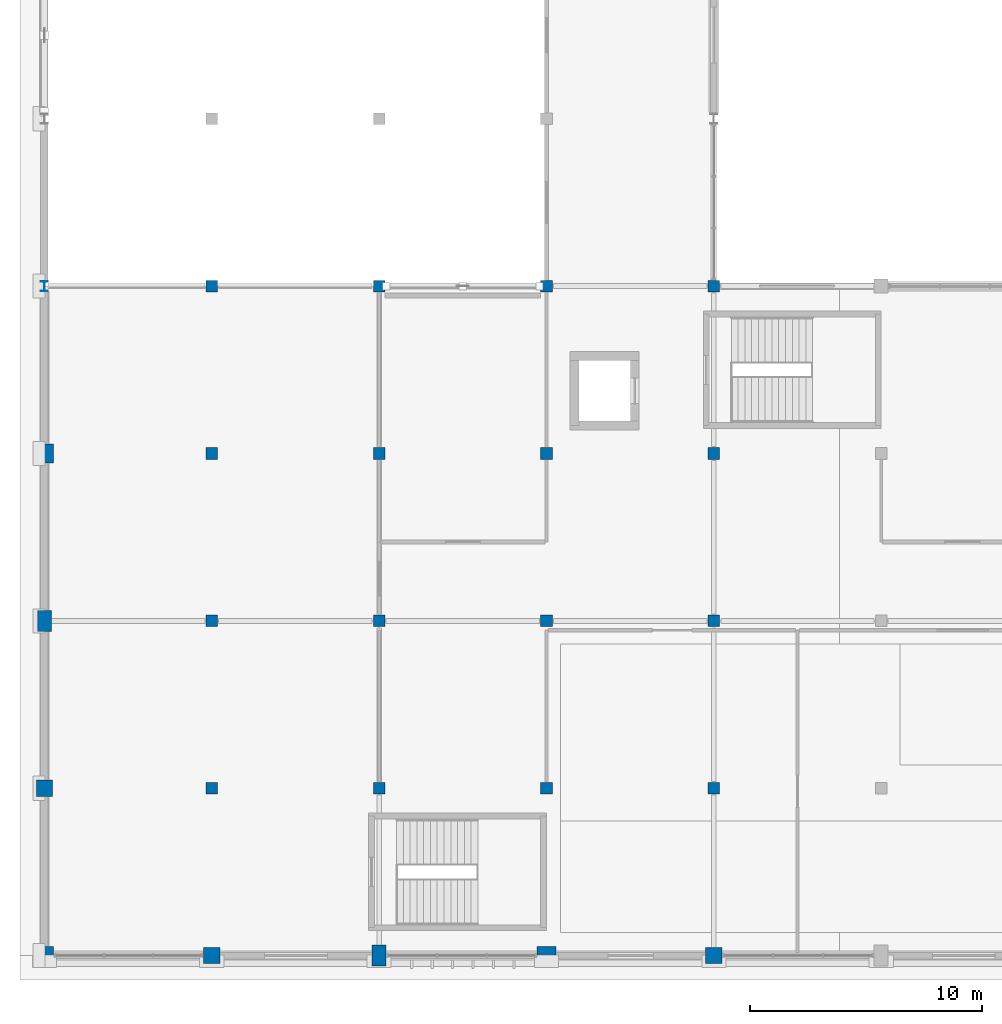
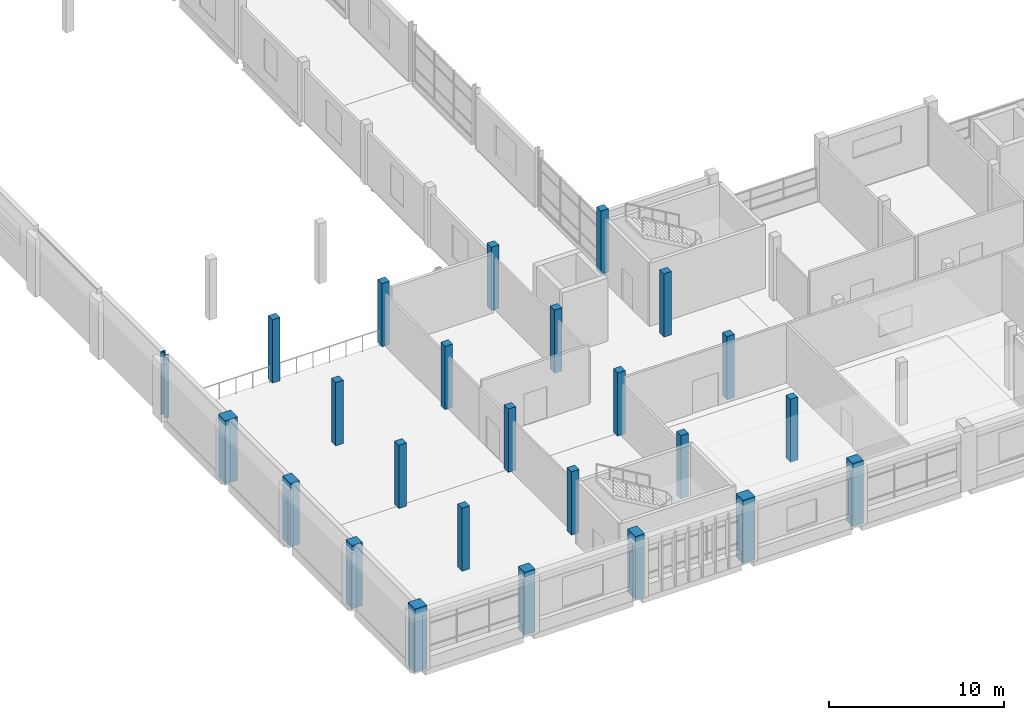
# One storey, part 1 of 71: 25 columns.
"""IFC4 building model written with IfcOpenShell, lengths in metres."""

from ifc_helpers import new_model, si_unit, direction, frame, origin, origin_2d, place, context, subcontext, project, spatial, rectangle, i_section, extrude, material, material_profile, profile_set, type_object, element, save


model = new_model("IFC4")

# Units and contexts
model_context = context("Model", 3, precision=1e-05, world=origin(), true_north=direction((0.0, 1.0)))
body_context = subcontext(model_context, "Body", "Model", "MODEL_VIEW")
ifc_project = project(units=[si_unit("LENGTHUNIT", "METRE"), si_unit("AREAUNIT", "SQUARE_METRE"), si_unit("VOLUMEUNIT", "CUBIC_METRE"), si_unit("PLANEANGLEUNIT", "RADIAN"), si_unit("MASSUNIT", "GRAM", prefix="KILO")], contexts=[model_context])

# Site, building, storey
site_placement = place(None, origin())
site = spatial("IfcSite", under=ifc_project, at=site_placement, CompositionType="ELEMENT")
building_placement = place(site_placement, origin())
building = spatial("IfcBuilding", under=site, at=building_placement, Name="Sardonyx Promenade Sports Hall", CompositionType="ELEMENT")
storey_placement = place(building_placement, frame((0.0, 0.0, 16.0)))
storey = spatial("IfcBuildingStorey", under=building, at=storey_placement, Name="L03", CompositionType="ELEMENT", Elevation=16.0)

# Columns
ifc_material_1 = material(Name="Steel S355JR", Category="steel")
ifc_material_profile_1 = material_profile(ifc_material_1, i_section(OverallWidth=0.300048828125, OverallDepth=0.43994140625, WebThickness=0.011474609375, FlangeThickness=0.02099609375, at=origin_2d()))
ifc_profile_set_1 = profile_set([ifc_material_profile_1], Name="Steel S355JR")
column_type_1 = type_object("IfcColumnType", Name="Col_Ext_HEA450", PredefinedType="COLUMN", material=ifc_profile_set_1)
column_placement = place(storey_placement, frame((0.0, 28.800048828125, 0.0), z_axis=(0.0, 0.0, 1.0), x_axis=(1.0, 0.0, 0.0)))
element("IfcColumn", 1, at=column_placement, inside=storey, type_object=column_type_1, Name="Column CE10 L03 (0.0,28.8)", PredefinedType="COLUMN", context=body_context, shape_type="SweptSolid", body=[
    extrude(i_section(OverallWidth=0.300048828125, OverallDepth=0.43994140625, WebThickness=0.011474609375, FlangeThickness=0.02099609375, at=origin_2d()), origin(), (0.0, 0.0, 1.0), 4.39990234375),
])
ifc_material_2 = material(Name="Concrete C40/50", Category="concrete")
ifc_material_profile_2 = material_profile(ifc_material_2, rectangle(XDim=0.60009765625, YDim=0.89990234375, at=origin_2d()))
ifc_profile_set_2 = profile_set([ifc_material_profile_2], Name="Concrete C40/50")
column_type_2 = type_object("IfcColumnType", Name="Col_Ext_RC600x900", PredefinedType="COLUMN", material=ifc_profile_set_2)
for number, where, z_axis, x_axis, name in (
    (2, (0.0, 14.39990234375, 0.0), (0.0, 0.0, 1.0), (1.0, 0.0, 0.0), "Column CE12 L03 (0.0,14.4)"),
    (3, (14.39990234375, 0.0, 0.0), (0.0, 0.0, 1.0), (1.0, 0.0, 0.0), "Column CE12 L03 (14.4,0.0)"),
):
    element("IfcColumn", number, at=place(storey_placement, frame(where, z_axis=z_axis, x_axis=x_axis)), inside=storey, type_object=column_type_2, Name=name, PredefinedType="COLUMN", context=body_context, shape_type="SweptSolid", body=[
        extrude(rectangle(XDim=0.60009765625, YDim=0.89990234375, at=origin_2d()), origin(), (0.0, 0.0, 1.0), 4.39990234375),
    ])
ifc_material_3 = material(Name="Concrete C40/50", Category="concrete")
ifc_material_profile_3 = material_profile(ifc_material_3, rectangle(XDim=0.699951171875, YDim=0.699951171875, at=origin_2d()))
ifc_profile_set_3 = profile_set([ifc_material_profile_3], Name="Concrete C40/50")
column_type_3 = type_object("IfcColumnType", Name="Col_Ext_RC700", PredefinedType="COLUMN", material=ifc_profile_set_3)
for number, where, z_axis, x_axis, name in (
    (4, (0.0, 7.199951171875, 0.0), (0.0, 0.0, 1.0), (1.0, 0.0, 0.0), "Column CE05 L03 (0.0,7.2)"),
    (5, (7.199951171875, 0.0, 0.0), (0.0, 0.0, 1.0), (1.0, 0.0, 0.0), "Column CE05 L03 (7.2,0.0)"),
    (6, (28.800048828125, 0.0, 0.0), (0.0, 0.0, 1.0), (1.0, 0.0, 0.0), "Column CE05 L03 (28.8,0.0)"),
):
    element("IfcColumn", number, at=place(storey_placement, frame(where, z_axis=z_axis, x_axis=x_axis)), inside=storey, type_object=column_type_3, Name=name, PredefinedType="COLUMN", context=body_context, shape_type="SweptSolid", body=[
        extrude(rectangle(XDim=0.699951171875, YDim=0.699951171875, at=origin_2d()), origin(), (0.0, 0.0, 1.0), 4.39990234375),
    ])
ifc_material_4 = material(Name="Concrete C50/60", Category="concrete")
ifc_material_profile_4 = material_profile(ifc_material_4, rectangle(XDim=0.800048828125, YDim=0.800048828125, at=origin_2d()))
ifc_profile_set_4 = profile_set([ifc_material_profile_4], Name="Concrete C50/60")
column_type_4 = type_object("IfcColumnType", Name="Col_Ext_RC800", PredefinedType="COLUMN", material=ifc_profile_set_4)
for number, where, z_axis, x_axis, name in (
    (7, (0.0, 0.0, 0.0), (0.0, 0.0, 1.0), (1.0, 0.0, 0.0), "Column CE13 L03 (0.0,0.0)"),
    (8, (0.0, 21.60009765625, 0.0), (0.0, 0.0, 1.0), (1.0, 0.0, 0.0), "Column CE13 L03 (0.0,21.6)"),
    (9, (21.60009765625, 0.0, 0.0), (0.0, 0.0, 1.0), (1.0, 0.0, 0.0), "Column CE13 L03 (21.6,0.0)"),
):
    element("IfcColumn", number, at=place(storey_placement, frame(where, z_axis=z_axis, x_axis=x_axis)), inside=storey, type_object=column_type_4, Name=name, PredefinedType="COLUMN", context=body_context, shape_type="SweptSolid", body=[
        extrude(rectangle(XDim=0.800048828125, YDim=0.800048828125, at=origin_2d()), origin(), (0.0, 0.0, 1.0), 4.39990234375),
    ])
ifc_material_5 = material(Name="Concrete C40/50", Category="concrete")
ifc_material_profile_5 = material_profile(ifc_material_5, rectangle(XDim=0.5, YDim=0.5, at=origin_2d()))
ifc_profile_set_5 = profile_set([ifc_material_profile_5], Name="Concrete C40/50")
column_type_5 = type_object("IfcColumnType", Name="Col_Int_RC500", PredefinedType="COLUMN", material=ifc_profile_set_5)
for number, where, z_axis, x_axis, name in (
    (10, (7.199951171875, 7.199951171875, 0.0), (0.0, 0.0, 1.0), (1.0, 0.0, 0.0), "Column CI06 L03 (7.2,7.2)"),
    (11, (7.199951171875, 14.39990234375, 0.0), (0.0, 0.0, 1.0), (1.0, 0.0, 0.0), "Column CI06 L03 (7.2,14.4)"),
    (12, (7.199951171875, 21.60009765625, 0.0), (0.0, 0.0, 1.0), (1.0, 0.0, 0.0), "Column CI06 L03 (7.2,21.6)"),
    (13, (7.199951171875, 28.800048828125, 0.0), (0.0, 0.0, 1.0), (1.0, 0.0, 0.0), "Column CI06 L03 (7.2,28.8)"),
    (14, (14.39990234375, 7.199951171875, 0.0), (0.0, 0.0, 1.0), (1.0, 0.0, 0.0), "Column CI06 L03 (14.4,7.2)"),
    (15, (14.39990234375, 14.39990234375, 0.0), (0.0, 0.0, 1.0), (1.0, 0.0, 0.0), "Column CI06 L03 (14.4,14.4)"),
    (16, (14.39990234375, 21.60009765625, 0.0), (0.0, 0.0, 1.0), (1.0, 0.0, 0.0), "Column CI06 L03 (14.4,21.6)"),
    (17, (14.39990234375, 28.800048828125, 0.0), (0.0, 0.0, 1.0), (1.0, 0.0, 0.0), "Column CI06 L03 (14.4,28.8)"),
    (18, (21.60009765625, 7.199951171875, 0.0), (0.0, 0.0, 1.0), (1.0, 0.0, 0.0), "Column CI06 L03 (21.6,7.2)"),
    (19, (21.60009765625, 14.39990234375, 0.0), (0.0, 0.0, 1.0), (1.0, 0.0, 0.0), "Column CI06 L03 (21.6,14.4)"),
    (20, (21.60009765625, 21.60009765625, 0.0), (0.0, 0.0, 1.0), (1.0, 0.0, 0.0), "Column CI06 L03 (21.6,21.6)"),
    (21, (21.60009765625, 28.800048828125, 0.0), (0.0, 0.0, 1.0), (1.0, 0.0, 0.0), "Column CI06 L03 (21.6,28.8)"),
    (22, (28.800048828125, 7.199951171875, 0.0), (0.0, 0.0, 1.0), (1.0, 0.0, 0.0), "Column CI06 L03 (28.8,7.2)"),
    (23, (28.800048828125, 14.39990234375, 0.0), (0.0, 0.0, 1.0), (1.0, 0.0, 0.0), "Column CI06 L03 (28.8,14.4)"),
    (24, (28.800048828125, 21.60009765625, 0.0), (0.0, 0.0, 1.0), (1.0, 0.0, 0.0), "Column CI06 L03 (28.8,21.6)"),
    (25, (28.800048828125, 28.800048828125, 0.0), (0.0, 0.0, 1.0), (1.0, 0.0, 0.0), "Column CI06 L03 (28.8,28.8)"),
):
    element("IfcColumn", number, at=place(storey_placement, frame(where, z_axis=z_axis, x_axis=x_axis)), inside=storey, type_object=column_type_5, Name=name, PredefinedType="COLUMN", context=body_context, shape_type="SweptSolid", body=[
        extrude(rectangle(XDim=0.5, YDim=0.5, at=origin_2d()), origin(), (0.0, 0.0, 1.0), 4.39990234375),
    ])

save(model, "model.ifc")
